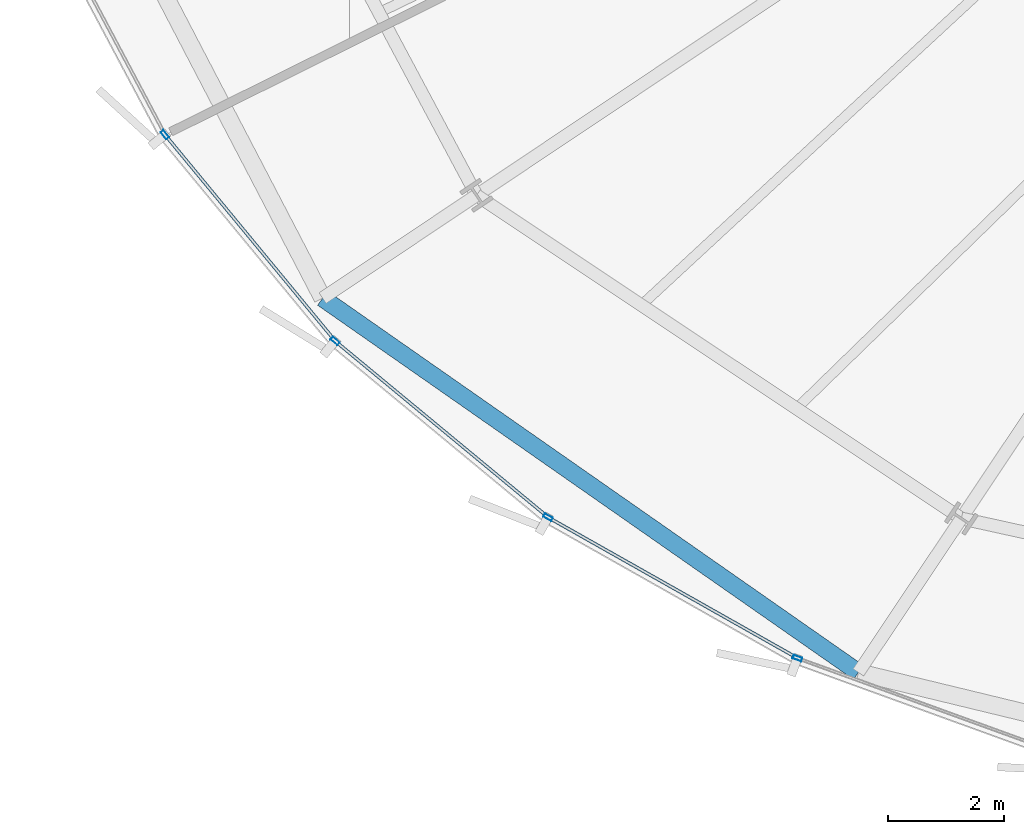
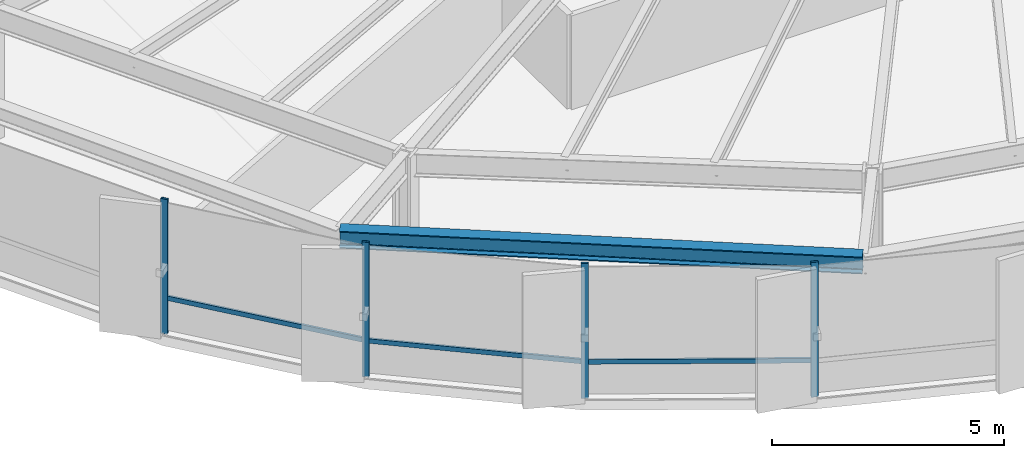
# One storey, part 2 of 35: 7 members, 1 beam, 1 element without a shape of its own.
"""IFC4 building model written with IfcOpenShell, lengths in metres."""

from ifc_helpers import new_model, si_unit, direction, frame, origin, origin_2d, place, context, subcontext, project, spatial, hollow_rectangle, i_section, extrude, source, transform, mapped, material, layer, layer_set, material_profile, profile_set, type_object, element, aggregate, save


model = new_model("IFC4")

# Units and contexts
model_context = context("Model", 3, precision=1e-05, world=origin(), true_north=direction((0.0, 1.0)))
body_context = subcontext(model_context, "Body", "Model", "MODEL_VIEW")
ifc_project = project(units=[si_unit("LENGTHUNIT", "METRE"), si_unit("AREAUNIT", "SQUARE_METRE"), si_unit("VOLUMEUNIT", "CUBIC_METRE"), si_unit("PLANEANGLEUNIT", "RADIAN"), si_unit("MASSUNIT", "GRAM", prefix="KILO"), si_unit("THERMODYNAMICTEMPERATUREUNIT", "KELVIN")], contexts=[model_context])

# Site, building, storey
site_placement = place(None, origin())
site = spatial("IfcSite", under=ifc_project, at=site_placement, CompositionType="ELEMENT")
building_placement = place(site_placement, origin())
building = spatial("IfcBuilding", under=site, at=building_placement, Name="Kethvar Cultural Tower", CompositionType="ELEMENT")
storey_placement = place(building_placement, frame((0.0, 0.0, 71.39990234375)))
storey = spatial("IfcBuildingStorey", under=building, at=storey_placement, Name="L17", CompositionType="ELEMENT", Elevation=71.39990234375)

# Beam
ifc_material_1 = material(Name="Steel S355J2", Category="steel")
ifc_material_profile_1 = material_profile(ifc_material_1, i_section(OverallWidth=0.300048828125, OverallDepth=0.449951171875, WebThickness=0.013916015625, FlangeThickness=0.02587890625, FilletRadius=0.027099609375, at=origin_2d()), Name="Steel S355J2 — HEB450")
ifc_profile_set_1 = profile_set([ifc_material_profile_1], Name="Steel S355J2 — HEB450")
beam_type = type_object("IfcBeamType", Name="BM-SP450", PredefinedType="SPANDREL", material=ifc_profile_set_1)
shared_shape_1 = source(origin(), body_context, "Body", "SweptSolid", [
    extrude(i_section(OverallWidth=0.300048828125, OverallDepth=0.449951171875, WebThickness=0.013916015625, FlangeThickness=0.02587890625, FilletRadius=0.027099609375, at=origin_2d()), origin(), (0.0, 0.0, 1.0), 11.295166015625),
])
beam_placement = place(storey_placement, frame((22.263916015625, 11.405517578125, 3.31298828125), z_axis=(0.819850874587, -0.572577106981, 0.0), x_axis=(0.572577106981, 0.819850874587, 0.0)))
element("IfcBeam", 1, at=beam_placement, inside=storey, type_object=beam_type, Name="L17 Perimeter Spandrel Beam SP-10", PredefinedType="SPANDREL", context=body_context, shape_type="MappedRepresentation", body=[
    mapped(shared_shape_1, transform((0.0, 0.0, 0.0), scale=1.0)),
])

# Curtain wall, members
ifc_material_2 = material(Name="Aluminium 6063-T6", Category="aluminium")
ifc_layer = layer(ifc_material_2, 0.179931640625, Name="Aluminium 6063-T6", Category="aluminium")
ifc_layer_set = layer_set([ifc_layer], Name="Aluminium 6063-T6 (180 mm)")
curtain_wall_type = type_object("IfcCurtainWallType", Name="CW-SYS-02-Z1", PredefinedType="NOTDEFINED", material=ifc_layer_set)
curtain_wall_placement = place(storey_placement, origin())
curtain_wall = element("IfcCurtainWall", 2, at=curtain_wall_placement, inside=storey, type_object=curtain_wall_type, Name="L17 Curtain Wall Run 04", PredefinedType="NOTDEFINED")
ifc_material_profile_2 = material_profile(ifc_material_2, hollow_rectangle(XDim=0.06494140625, YDim=0.159912109375, WallThickness=0.0048828125, at=origin_2d()), Name="Aluminium 6063-T6 — RHS160x65x5")
ifc_profile_set_2 = profile_set([ifc_material_profile_2], Name="Aluminium 6063-T6 — RHS160x65x5")
member_type_1 = type_object("IfcMemberType", Name="CW-SYS-02-Z1-MUL", PredefinedType="MULLION", material=ifc_profile_set_2)
shared_shape_2 = source(origin(), body_context, "Body", "SweptSolid", [
    extrude(hollow_rectangle(XDim=0.06494140625, YDim=0.159912109375, WallThickness=0.0048828125, at=origin_2d()), origin(), (0.0, 0.0, 1.0), 3.5400390625),
])
member_1_placement = place(storey_placement, frame((19.539794921875, 14.230712890625, 0.0), z_axis=(0.0, 0.0, 1.0), x_axis=(0.771258100668, 0.636522538606, 0.0)))
member_1 = element("IfcMember", 3, at=member_1_placement, type_object=member_type_1, Name="CW-L17-R04 Mullion 3", PredefinedType="MULLION", context=body_context, shape_type="MappedRepresentation", body=[
    mapped(shared_shape_2, transform((0.0, 0.0, 0.0), scale=1.0)),
])
member_2_placement = place(storey_placement, frame((22.47998046875, 10.664794921875, 0.0), z_axis=(0.0, 0.0, 1.0), x_axis=(0.637410541659, 0.770524367806, 0.0)))
member_2 = element("IfcMember", 4, at=member_2_placement, type_object=member_type_1, Name="CW-L17-R04 Mullion 4", PredefinedType="MULLION", context=body_context, shape_type="MappedRepresentation", body=[
    mapped(shared_shape_2, transform((0.0, 0.0, 0.0), scale=1.0)),
])
member_3_placement = place(storey_placement, frame((26.159912109375, 7.6181640625, 0.0), z_axis=(0.0, 0.0, 1.0), x_axis=(0.491572652974, 0.870836567243, 0.0)))
member_3 = element("IfcMember", 5, at=member_3_placement, type_object=member_type_1, Name="CW-L17-R04 Mullion 5", PredefinedType="MULLION", context=body_context, shape_type="MappedRepresentation", body=[
    mapped(shared_shape_2, transform((0.0, 0.0, 0.0), scale=1.0)),
])
member_4_placement = place(storey_placement, frame((30.46826171875, 5.184326171875, 0.0), z_axis=(0.0, 0.0, 1.0), x_axis=(0.341298410417, 0.939954996288, 0.0)))
member_4 = element("IfcMember", 6, at=member_4_placement, type_object=member_type_1, Name="CW-L17-R04 Mullion 6", PredefinedType="MULLION", context=body_context, shape_type="MappedRepresentation", body=[
    mapped(shared_shape_2, transform((0.0, 0.0, 0.0), scale=1.0)),
])
ifc_material_profile_3 = material_profile(ifc_material_2, hollow_rectangle(XDim=0.054931640625, YDim=0.1201171875, WallThickness=0.00390625, at=origin_2d()), Name="Aluminium 6063-T6 — RHS120x55x4")
ifc_profile_set_3 = profile_set([ifc_material_profile_3], Name="Aluminium 6063-T6 — RHS120x55x4")
member_type_2 = type_object("IfcMemberType", Name="CW-SYS-02-Z1-TRN", PredefinedType="USERDEFINED", material=ifc_profile_set_3)
shared_shape_3 = source(origin(), body_context, "Body", "SweptSolid", [
    extrude(hollow_rectangle(XDim=0.054931640625, YDim=0.1201171875, WallThickness=0.00390625, at=origin_2d()), origin(), (0.0, 0.0, 1.0), 4.704833984375),
])
member_5_placement = place(storey_placement, frame((22.51611328125, 10.635009765625, 0.9501953125), z_axis=(0.770517349135, -0.63741902598, 0.0), x_axis=(0.63741902598, 0.770517349135, 0.0)))
member_5 = element("IfcMember", 7, at=member_5_placement, type_object=member_type_2, Name="CW-L17-R04 Transom 4", ObjectType="TRANSOM", PredefinedType="USERDEFINED", context=body_context, shape_type="MappedRepresentation", body=[
    mapped(shared_shape_3, transform((0.0, 0.0, 0.0), scale=1.0)),
])
shared_shape_4 = source(origin(), body_context, "Body", "SweptSolid", [
    extrude(hollow_rectangle(XDim=0.054931640625, YDim=0.1201171875, WallThickness=0.00390625, at=origin_2d()), origin(), (0.0, 0.0, 1.0), 4.55078125),
])
member_6_placement = place(storey_placement, frame((19.569580078125, 14.194580078125, 0.9501953125), z_axis=(0.636536165875, -0.771246853824, 0.0), x_axis=(0.771246853824, 0.636536165875, 0.0)))
member_6 = element("IfcMember", 8, at=member_6_placement, type_object=member_type_2, Name="CW-L17-R04 Transom 3", ObjectType="TRANSOM", PredefinedType="USERDEFINED", context=body_context, shape_type="MappedRepresentation", body=[
    mapped(shared_shape_4, transform((0.0, 0.0, 0.0), scale=1.0)),
])
shared_shape_5 = source(origin(), body_context, "Body", "SweptSolid", [
    extrude(hollow_rectangle(XDim=0.054931640625, YDim=0.1201171875, WallThickness=0.00390625, at=origin_2d()), origin(), (0.0, 0.0, 1.0), 4.87451171875),
])
member_7_placement = place(storey_placement, frame((26.20068359375, 7.59521484375, 0.9501953125), z_axis=(0.870829496397, -0.491585178992, 0.0), x_axis=(0.491585178992, 0.870829496397, 0.0)))
member_7 = element("IfcMember", 9, at=member_7_placement, type_object=member_type_2, Name="CW-L17-R04 Transom 5", ObjectType="TRANSOM", PredefinedType="USERDEFINED", context=body_context, shape_type="MappedRepresentation", body=[
    mapped(shared_shape_5, transform((0.0, 0.0, 0.0), scale=1.0)),
])
aggregate(curtain_wall, [member_1, member_2, member_3, member_4, member_6, member_5, member_7])

save(model, "model.ifc")
